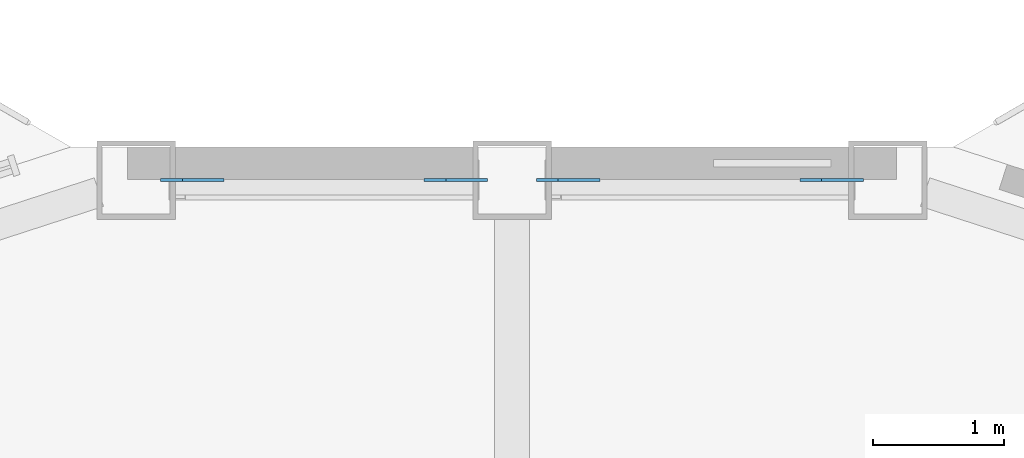
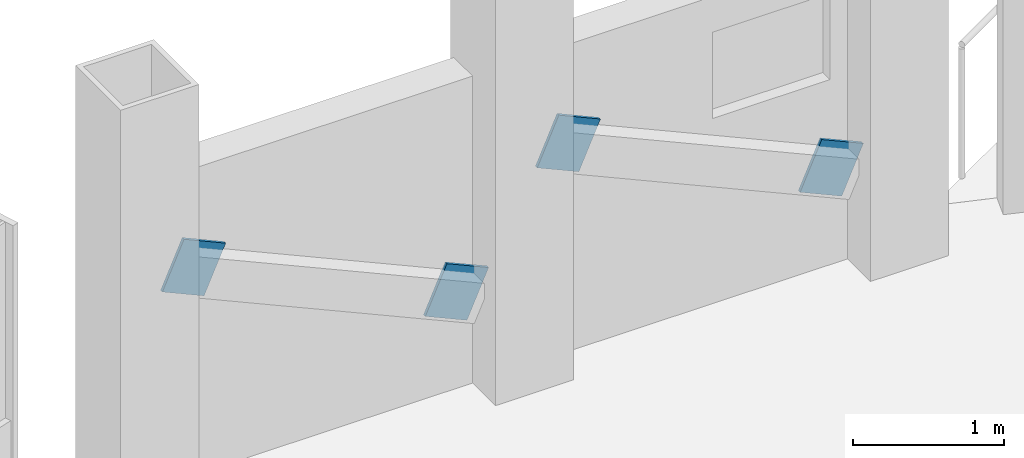
# One storey, part 22 of 27: 4 discrete accessories.
"""IFC4 building model written with IfcOpenShell, lengths in metres."""

from ifc_helpers import new_model, si_unit, direction, frame, origin, origin_2d, place, context, subcontext, project, spatial, rectangle, extrude, material, material_profile, profile_set, type_object, element, save


model = new_model("IFC4")

# Units and contexts
model_context = context("Model", 3, precision=1e-05, world=origin(), true_north=direction((0.0, 1.0)))
body_context = subcontext(model_context, "Body", "Model", "MODEL_VIEW")
ifc_project = project(units=[si_unit("LENGTHUNIT", "METRE"), si_unit("AREAUNIT", "SQUARE_METRE"), si_unit("VOLUMEUNIT", "CUBIC_METRE"), si_unit("PLANEANGLEUNIT", "RADIAN"), si_unit("MASSUNIT", "GRAM", prefix="KILO")], contexts=[model_context])

# Site, building, storey
site_placement = place(None, origin())
site = spatial("IfcSite", under=ifc_project, at=site_placement, CompositionType="ELEMENT")
building_placement = place(site_placement, origin())
building = spatial("IfcBuilding", under=site, at=building_placement, Name="Cormorant Prow Tower", CompositionType="ELEMENT")
storey_placement = place(building_placement, frame((0.0, 0.0, 312.0)))
storey = spatial("IfcBuildingStorey", under=building, at=storey_placement, Name="L68", CompositionType="ELEMENT", Elevation=312.0)

# Discrete accessories
ifc_material = material(Name="Structural steel ASTM A500 Gr C", Category="steel")
ifc_material_profile = material_profile(ifc_material, rectangle(XDim=0.02490234375, YDim=0.405029296875, at=origin_2d()), Name="Gusset plate 25x405")
ifc_profile_set = profile_set([ifc_material_profile], Name="Structural steel ASTM A500 Gr C")
discrete_accessory_type = type_object("IfcDiscreteAccessoryType", Name="Gusset plate 25x405", PredefinedType="BRACKET", material=ifc_profile_set)
discrete_accessory_1_placement = place(storey_placement, frame((2.28515625, 31.676025390625, 0.86376953125), z_axis=(0.912599106234, 0.0, -0.408855562884), x_axis=(0.0, 1.0, 0.0)))
element("IfcDiscreteAccessory", 1, at=discrete_accessory_1_placement, inside=storey, type_object=discrete_accessory_type, Name="Gusset plate GP3 L68.N00.g0", PredefinedType="BRACKET", context=body_context, shape_type="SweptSolid", body=[
    extrude(rectangle(XDim=0.02490234375, YDim=0.405029296875, at=origin_2d()), origin(), (0.0, 0.0, 1.0), 0.349853515625),
])
discrete_accessory_2_placement = place(storey_placement, frame((0.588623046875, 31.676025390625, 1.6240234375), z_axis=(-0.912338666822, 0.0, 0.409436389468), x_axis=(0.0, -1.0, 0.0)))
element("IfcDiscreteAccessory", 2, at=discrete_accessory_2_placement, inside=storey, type_object=discrete_accessory_type, Name="Gusset plate GP3 L68.N00.g1", PredefinedType="BRACKET", context=body_context, shape_type="SweptSolid", body=[
    extrude(rectangle(XDim=0.02490234375, YDim=0.405029296875, at=origin_2d()), origin(), (0.0, 0.0, 1.0), 0.35009765625),
])
discrete_accessory_3_placement = place(storey_placement, frame((-0.588623046875, 31.676025390625, 0.86376953125), z_axis=(0.912599106234, 0.0, -0.408855562884), x_axis=(0.0, 1.0, 0.0)))
element("IfcDiscreteAccessory", 3, at=discrete_accessory_3_placement, inside=storey, type_object=discrete_accessory_type, Name="Gusset plate GP3 L68.N01.g0", PredefinedType="BRACKET", context=body_context, shape_type="SweptSolid", body=[
    extrude(rectangle(XDim=0.02490234375, YDim=0.405029296875, at=origin_2d()), origin(), (0.0, 0.0, 1.0), 0.349853515625),
])
discrete_accessory_4_placement = place(storey_placement, frame((-2.28515625, 31.676025390625, 1.6240234375), z_axis=(-0.912338666822, 0.0, 0.409436389468), x_axis=(0.0, -1.0, 0.0)))
element("IfcDiscreteAccessory", 4, at=discrete_accessory_4_placement, inside=storey, type_object=discrete_accessory_type, Name="Gusset plate GP3 L68.N01.g1", PredefinedType="BRACKET", context=body_context, shape_type="SweptSolid", body=[
    extrude(rectangle(XDim=0.02490234375, YDim=0.405029296875, at=origin_2d()), origin(), (0.0, 0.0, 1.0), 0.35009765625),
])

save(model, "model.ifc")
